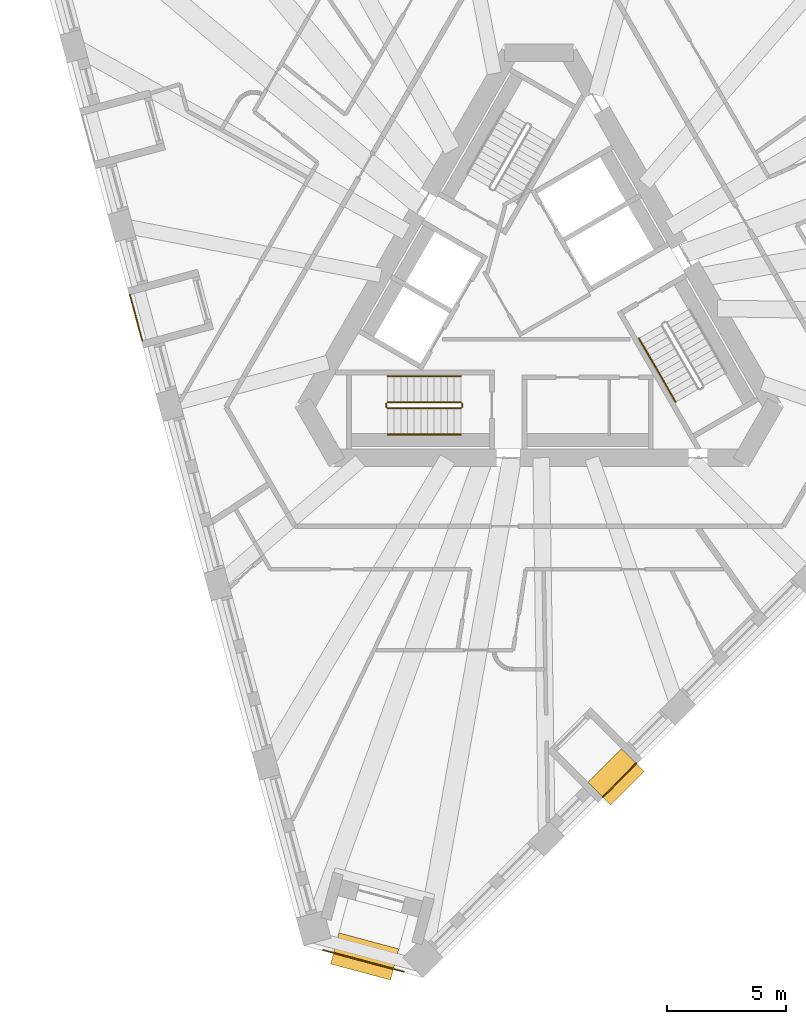
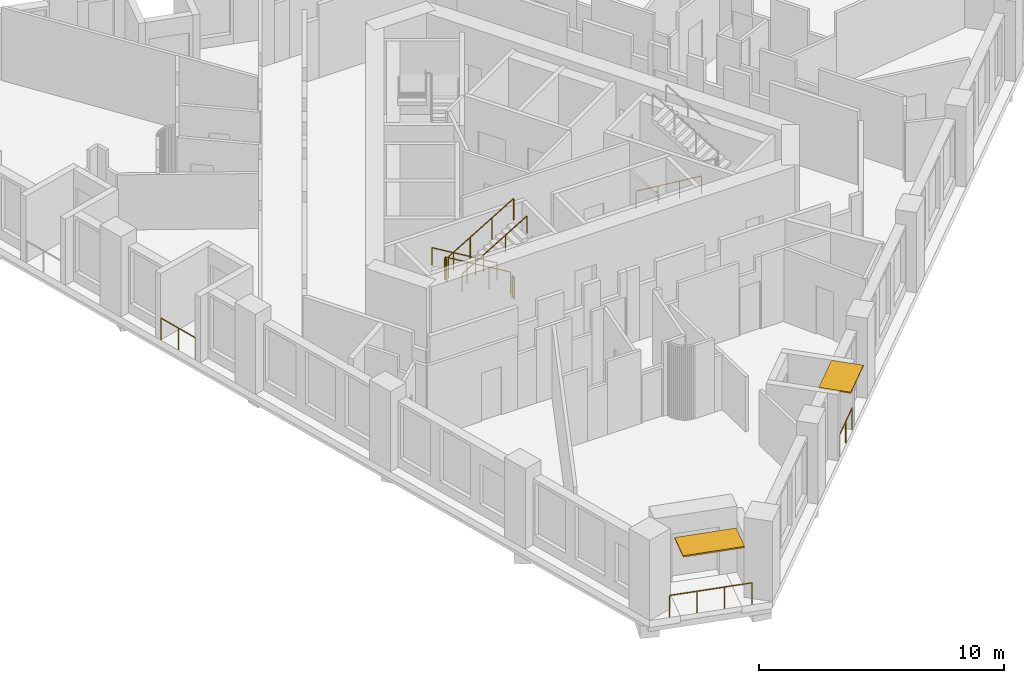
# One storey, part 10 of 13: 10 railings, 2 shading devices.
"""IFC4 building model written with IfcOpenShell, lengths in metres."""

from ifc_helpers import new_model, si_unit, direction, frame, origin, origin_2d, place, context, subcontext, project, spatial, rectangle, circle, extrude, material, layer, layer_set, type_object, element, save


model = new_model("IFC4")

# Units and contexts
model_context = context("Model", 3, precision=1e-05, world=origin(), true_north=direction((0.0, 1.0)))
body_context = subcontext(model_context, "Body", "Model", "MODEL_VIEW")
ifc_project = project(units=[si_unit("LENGTHUNIT", "METRE"), si_unit("AREAUNIT", "SQUARE_METRE"), si_unit("VOLUMEUNIT", "CUBIC_METRE"), si_unit("PLANEANGLEUNIT", "RADIAN"), si_unit("MASSUNIT", "GRAM", prefix="KILO")], contexts=[model_context])

# Site, building, storey
site_placement = place(None, origin())
site = spatial("IfcSite", under=ifc_project, at=site_placement, CompositionType="ELEMENT")
building_placement = place(site_placement, origin())
building = spatial("IfcBuilding", under=site, at=building_placement, Name="Tramontana Tower", CompositionType="ELEMENT")
storey_placement = place(building_placement, frame((0.0, 0.0, 220.0)))
storey = spatial("IfcBuildingStorey", under=building, at=storey_placement, Name="L51", CompositionType="ELEMENT", Elevation=220.0)

# Railings
ifc_material_1 = material(Name="Laminated glass balustrade", Category="glass")
railing_type_1 = type_object("IfcRailingType", Name="GD1 Loggia glass balustrade 1100", PredefinedType="BALUSTRADE", material=ifc_material_1)
railing_1_placement = place(storey_placement, frame((-17.176025390625, 0.466552734375, 0.0)))
element("IfcRailing", 1, at=railing_1_placement, inside=storey, type_object=railing_type_1, Name="Loggia balustrade L51 G5S0.7", PredefinedType="BALUSTRADE", context=body_context, shape_type="SweptSolid", body=[
    extrude(circle(Radius=0.02392578125, at=origin_2d()), frame((0.0, 0.0, 1.076171875), z_axis=(0.258803270362, -0.96593005298, 0.0), x_axis=(0.96593005298, 0.258803270362, 0.0)), (0.0, 0.0, 1.0), 1.998046875),
    extrude(circle(Radius=0.02099609375, at=origin_2d()), origin(), (0.0, 0.0, 1.0), 1.052001953125),
    extrude(circle(Radius=0.02099609375, at=origin_2d()), frame((0.258544921875, -0.96484375, 0.0)), (0.0, 0.0, 1.0), 1.052001953125),
    extrude(circle(Radius=0.02099609375, at=origin_2d()), frame((0.51708984375, -1.929931640625, 0.0)), (0.0, 0.0, 1.0), 1.052001953125),
])
railing_2_placement = place(storey_placement, frame((2.672607421875, -20.619384765625, 0.0)))
element("IfcRailing", 2, at=railing_2_placement, inside=storey, type_object=railing_type_1, Name="Loggia balustrade L51 G5S1.4", PredefinedType="BALUSTRADE", context=body_context, shape_type="SweptSolid", body=[
    extrude(circle(Radius=0.02392578125, at=origin_2d()), frame((0.0, 0.0, 1.076171875), z_axis=(0.707106781187, 0.707106781187, 0.0), x_axis=(-0.707106781187, 0.707106781187, 0.0)), (0.0, 0.0, 1.0), 1.998046875),
    extrude(circle(Radius=0.02099609375, at=origin_2d()), origin(), (0.0, 0.0, 1.0), 1.052001953125),
    extrude(circle(Radius=0.02099609375, at=origin_2d()), frame((0.70654296875, 0.70654296875, 0.0)), (0.0, 0.0, 1.0), 1.052001953125),
    extrude(circle(Radius=0.02099609375, at=origin_2d()), frame((1.412841796875, 1.412841796875, 0.0)), (0.0, 0.0, 1.0), 1.052001953125),
])
railing_3_placement = place(storey_placement, frame((-5.67822265625, -27.952880859375, 0.0)))
element("IfcRailing", 3, at=railing_3_placement, inside=storey, type_object=railing_type_1, Name="Corner loggia balustrade L51 K51", PredefinedType="BALUSTRADE", context=body_context, shape_type="SweptSolid", body=[
    extrude(circle(Radius=0.02392578125, at=origin_2d()), frame((0.0, 0.0, 1.076171875), z_axis=(-0.965913486506, 0.258865093408, 0.0), x_axis=(-0.258865093408, -0.965913486506, 0.0)), (0.0, 0.0, 1.0), 3.5),
    extrude(circle(Radius=0.02099609375, at=origin_2d()), origin(), (0.0, 0.0, 1.0), 1.052001953125),
    extrude(circle(Radius=0.02099609375, at=origin_2d()), frame((-1.126953125, 0.302001953125, 0.0)), (0.0, 0.0, 1.0), 1.052001953125),
    extrude(circle(Radius=0.02099609375, at=origin_2d()), frame((-2.253662109375, 0.60400390625, 0.0)), (0.0, 0.0, 1.0), 1.052001953125),
    extrude(circle(Radius=0.02099609375, at=origin_2d()), frame((-3.380615234375, 0.906005859375, 0.0)), (0.0, 0.0, 1.0), 1.052001953125),
])

# Shading devices
ifc_material_2 = material(Name="Precast concrete 60 MPa", Category="concrete")
ifc_layer_1 = layer(ifc_material_2, 0.06005859375)
ifc_layer_set_1 = layer_set([ifc_layer_1], Name="SS1 Stone sunshade blade 60")
shading_device_type_1 = type_object("IfcShadingDeviceType", Name="SS1 Stone sunshade blade 60", PredefinedType="USERDEFINED", material=ifc_layer_set_1)
shading_device_1_placement = place(storey_placement, frame((3.2412109375, -19.775146484375, 3.239990234375), z_axis=(0.0, 0.0, 1.0), x_axis=(0.707106781187, 0.707106781187, 0.0)))
element("IfcShadingDevice", 4, at=shading_device_1_placement, inside=storey, type_object=shading_device_type_1, Name="Sunshade L51 G5S1.4", ObjectType="SUNSHADE", PredefinedType="USERDEFINED", context=body_context, shape_type="SweptSolid", body=[
    extrude(rectangle(XDim=1.998046875, YDim=1.35009765625, at=origin_2d()), origin(), (0.0, 0.0, 1.0), 0.06005859375),
])
ifc_material_3 = material(Name="Precast concrete 60 MPa", Category="concrete")
ifc_layer_2 = layer(ifc_material_3, 0.070068359375)
ifc_layer_set_2 = layer_set([ifc_layer_2], Name="SS2 Stone sunshade blade 70")
shading_device_type_2 = type_object("IfcShadingDeviceType", Name="SS2 Stone sunshade blade 70", PredefinedType="USERDEFINED", material=ifc_layer_set_2)
shading_device_2_placement = place(storey_placement, frame((-7.318115234375, -27.3115234375, 3.22998046875), z_axis=(0.0, 0.0, 1.0), x_axis=(-0.965925826289, 0.258819045103, 0.0)))
element("IfcShadingDevice", 5, at=shading_device_2_placement, inside=storey, type_object=shading_device_type_2, Name="Corner sunshade L51 K51", ObjectType="SUNSHADE", PredefinedType="USERDEFINED", context=body_context, shape_type="SweptSolid", body=[
    extrude(rectangle(XDim=2.60009765625, YDim=1.35009765625, at=origin_2d()), origin(), (0.0, 0.0, 1.0), 0.070068359375),
])

# Railings
ifc_material_4 = material(Name="Painted steel", Category="steel")
railing_type_2 = type_object("IfcRailingType", Name="STAIR GUARD 1100", PredefinedType="GUARDRAIL", material=ifc_material_4)
railing_4_placement = place(storey_placement, frame((-3.280029296875, -4.050048828125, 0.166748046875)))
element("IfcRailing", 6, at=railing_4_placement, inside=storey, type_object=railing_type_2, Name="L51 ST2 stair guard 1", PredefinedType="GUARDRAIL", context=body_context, shape_type="SweptSolid", body=[
    extrude(circle(Radius=0.02392578125, at=origin_2d()), frame((0.0, 0.0, 1.076171875), z_axis=(-0.859308565015, 0.0, 0.511457515432), x_axis=(0.0, -1.0, 0.0)), (0.0, 0.0, 1.0), 3.58447265625),
    extrude(circle(Radius=0.02099609375, at=origin_2d()), origin(), (0.0, 0.0, 1.0), 1.052001953125),
    extrude(circle(Radius=0.02099609375, at=origin_2d()), frame((-1.026611328125, 0.0, 0.611083984375)), (0.0, 0.0, 1.0), 1.052001953125),
    extrude(circle(Radius=0.02099609375, at=origin_2d()), frame((-2.053466796875, 0.0, 1.22216796875)), (0.0, 0.0, 1.0), 1.052001953125),
    extrude(circle(Radius=0.02099609375, at=origin_2d()), frame((-3.080078125, 0.0, 1.833251953125)), (0.0, 0.0, 1.0), 1.052001953125),
])
railing_5_placement = place(storey_placement, frame((-6.360107421875, -4.300048828125, 2.166748046875)))
element("IfcRailing", 7, at=railing_5_placement, inside=storey, type_object=railing_type_2, Name="L51 ST2 stair guard 2", PredefinedType="GUARDRAIL", context=body_context, shape_type="SweptSolid", body=[
    extrude(circle(Radius=0.02392578125, at=origin_2d()), frame((0.0, 0.0, 1.076171875), z_axis=(0.859308565015, 0.0, 0.511457515432), x_axis=(0.0, 1.0, 0.0)), (0.0, 0.0, 1.0), 3.58447265625),
    extrude(circle(Radius=0.02099609375, at=origin_2d()), origin(), (0.0, 0.0, 1.0), 1.052001953125),
    extrude(circle(Radius=0.02099609375, at=origin_2d()), frame((1.026611328125, 0.0, 0.611083984375)), (0.0, 0.0, 1.0), 1.052001953125),
    extrude(circle(Radius=0.02099609375, at=origin_2d()), frame((2.053466796875, 0.0, 1.22216796875)), (0.0, 0.0, 1.0), 1.052001953125),
    extrude(circle(Radius=0.02099609375, at=origin_2d()), frame((3.080078125, 0.0, 1.833251953125)), (0.0, 0.0, 1.0), 1.052001953125),
])
for number, where, name in (
    (8, (-6.409912109375, -4.10009765625, 2.0), "L51 ST2 stair guard 3"),
    (9, (-3.22998046875, -4.10009765625, 0.0), "L51 ST2 stair guard 4"),
):
    element("IfcRailing", number, at=place(storey_placement, frame(where)), inside=storey, type_object=railing_type_2, Name=name, PredefinedType="GUARDRAIL", context=body_context, shape_type="SweptSolid", body=[
        extrude(circle(Radius=0.02392578125, at=origin_2d()), frame((0.0, 0.0, 1.076171875), z_axis=(0.0, -1.0, 0.0), x_axis=(1.0, 0.0, 0.0)), (0.0, 0.0, 1.0), 0.14990234375),
        extrude(circle(Radius=0.02099609375, at=origin_2d()), origin(), (0.0, 0.0, 1.0), 1.052001953125),
        extrude(circle(Radius=0.02099609375, at=origin_2d()), frame((0.0, -0.14990234375, 0.0)), (0.0, 0.0, 1.0), 1.052001953125),
    ])
ifc_material_5 = material(Name="Painted steel", Category="steel")
railing_type_3 = type_object("IfcRailingType", Name="STAIR HANDRAIL 900", PredefinedType="HANDRAIL", material=ifc_material_5)
railing_6_placement = place(storey_placement, frame((-3.280029296875, -2.949951171875, 0.166748046875)))
element("IfcRailing", 10, at=railing_6_placement, inside=storey, type_object=railing_type_3, Name="L51 ST2 stair handrail 1", PredefinedType="HANDRAIL", context=body_context, shape_type="SweptSolid", body=[
    extrude(circle(Radius=0.02392578125, at=origin_2d()), frame((0.0, 0.0, 0.8759765625), z_axis=(-0.859308565015, 0.0, 0.511457515432), x_axis=(0.0, -1.0, 0.0)), (0.0, 0.0, 1.0), 3.58447265625),
    extrude(circle(Radius=0.02099609375, at=origin_2d()), origin(), (0.0, 0.0, 1.0), 0.851806640625),
    extrude(circle(Radius=0.02099609375, at=origin_2d()), frame((-1.026611328125, 0.0, 0.611083984375)), (0.0, 0.0, 1.0), 0.851806640625),
    extrude(circle(Radius=0.02099609375, at=origin_2d()), frame((-2.053466796875, 0.0, 1.22216796875)), (0.0, 0.0, 1.0), 0.851806640625),
    extrude(circle(Radius=0.02099609375, at=origin_2d()), frame((-3.080078125, 0.0, 1.833251953125)), (0.0, 0.0, 1.0), 0.851806640625),
])
railing_7_placement = place(storey_placement, frame((-6.360107421875, -5.39990234375, 2.166748046875)))
element("IfcRailing", 11, at=railing_7_placement, inside=storey, type_object=railing_type_3, Name="L51 ST2 stair handrail 2", PredefinedType="HANDRAIL", context=body_context, shape_type="SweptSolid", body=[
    extrude(circle(Radius=0.02392578125, at=origin_2d()), frame((0.0, 0.0, 0.8759765625), z_axis=(0.859308565015, 0.0, 0.511457515432), x_axis=(0.0, 1.0, 0.0)), (0.0, 0.0, 1.0), 3.58447265625),
    extrude(circle(Radius=0.02099609375, at=origin_2d()), origin(), (0.0, 0.0, 1.0), 0.851806640625),
    extrude(circle(Radius=0.02099609375, at=origin_2d()), frame((1.026611328125, 0.0, 0.611083984375)), (0.0, 0.0, 1.0), 0.851806640625),
    extrude(circle(Radius=0.02099609375, at=origin_2d()), frame((2.053466796875, 0.0, 1.22216796875)), (0.0, 0.0, 1.0), 0.851806640625),
    extrude(circle(Radius=0.02099609375, at=origin_2d()), frame((3.080078125, 0.0, 1.833251953125)), (0.0, 0.0, 1.0), 0.851806640625),
])
railing_8_placement = place(storey_placement, frame((4.19482421875, -1.365478515625, 0.166748046875)))
element("IfcRailing", 12, at=railing_8_placement, inside=storey, type_object=railing_type_3, Name="L51 ST3 stair handrail 1", PredefinedType="HANDRAIL", context=body_context, shape_type="SweptSolid", body=[
    extrude(circle(Radius=0.02392578125, at=origin_2d()), frame((0.0, 0.0, 0.8759765625), z_axis=(0.429649414936, -0.744189839504, 0.511451721109), x_axis=(0.866029832698, 0.499992328818, 0.0)), (0.0, 0.0, 1.0), 3.58447265625),
    extrude(circle(Radius=0.02099609375, at=origin_2d()), origin(), (0.0, 0.0, 1.0), 0.851806640625),
    extrude(circle(Radius=0.02099609375, at=origin_2d()), frame((0.513427734375, -0.88916015625, 0.611083984375)), (0.0, 0.0, 1.0), 0.851806640625),
    extrude(circle(Radius=0.02099609375, at=origin_2d()), frame((1.026611328125, -1.7783203125, 1.22216796875)), (0.0, 0.0, 1.0), 0.851806640625),
    extrude(circle(Radius=0.02099609375, at=origin_2d()), frame((1.5400390625, -2.66748046875, 1.833251953125)), (0.0, 0.0, 1.0), 0.851806640625),
])

save(model, "model.ifc")
